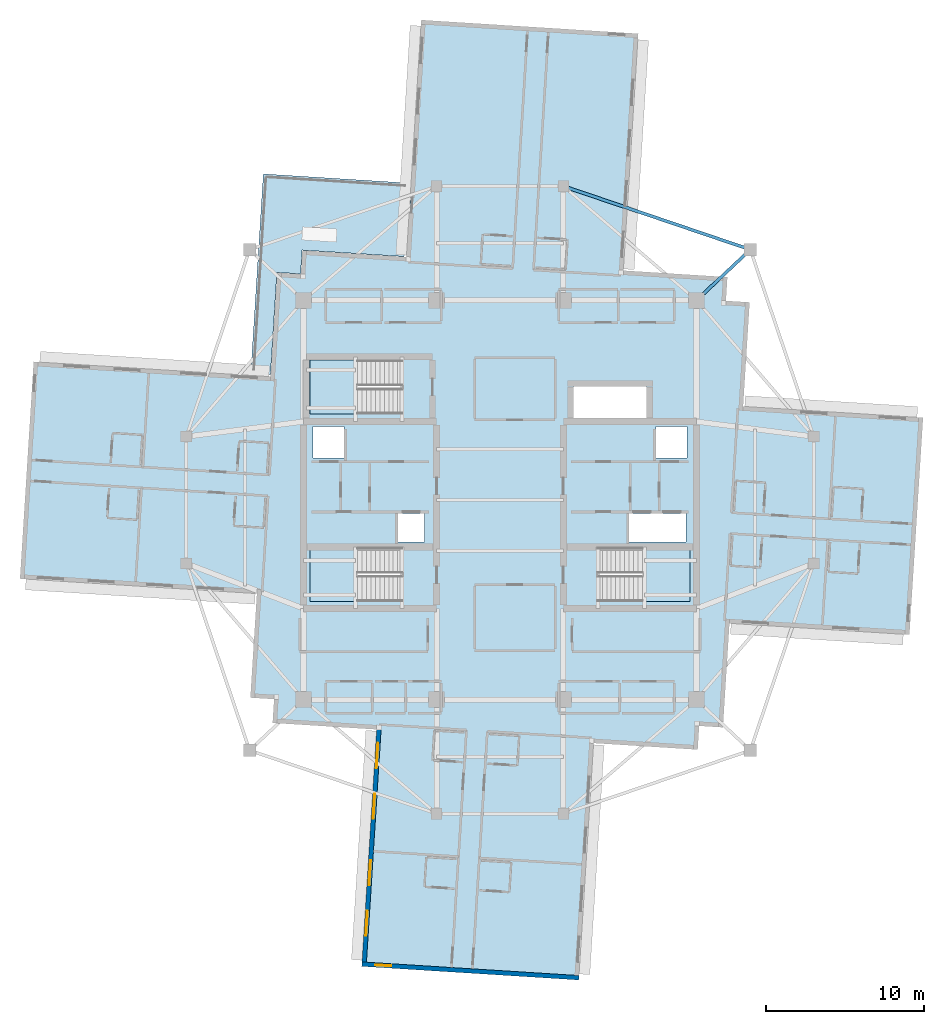
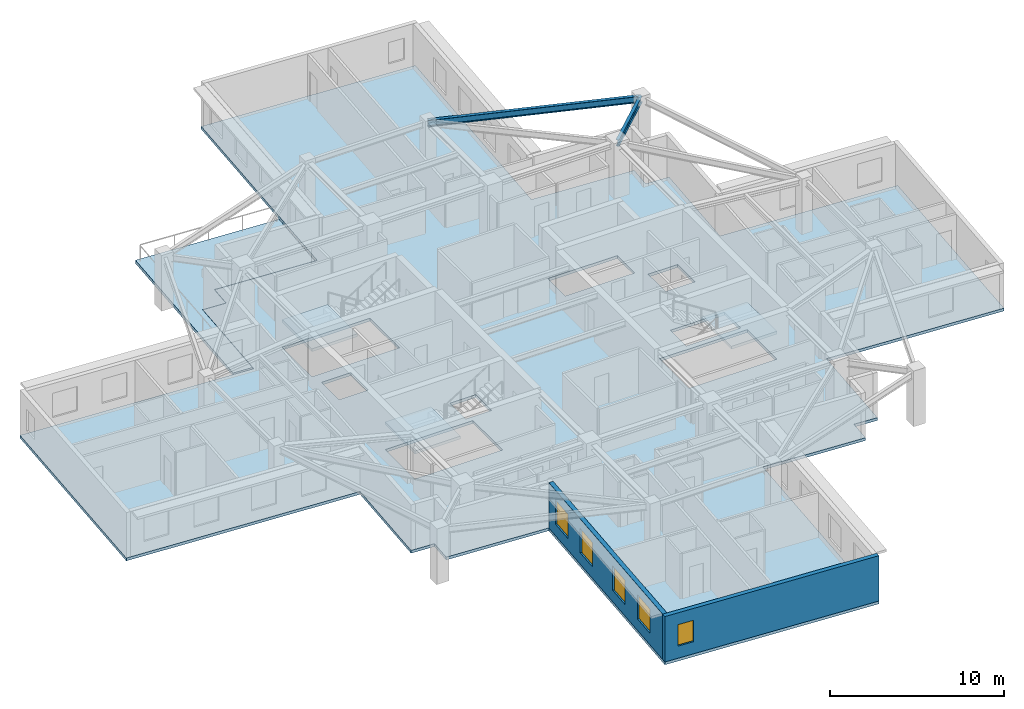
# One storey, part 2 of 12: 5 slabs, 5 windows, 2 beams, 2 walls, 5 openings, 3 elements without a shape of their own.
"""IFC4 building model written with IfcOpenShell, lengths in metres."""

from ifc_helpers import new_model, si_unit, direction, frame, frame_2d, origin, origin_2d, place, context, subcontext, project, spatial, polyline, rectangle, i_section, outline, extrude, material, layer, layer_set, material_profile, profile_set, type_object, element, fill, aggregate, save


model = new_model("IFC4")

# Units and contexts
model_context = context("Model", 3, precision=1e-05, world=origin(), true_north=direction((0.0, 1.0)))
body_context = subcontext(model_context, "Body", "Model", "MODEL_VIEW")
ifc_project = project(units=[si_unit("LENGTHUNIT", "METRE"), si_unit("AREAUNIT", "SQUARE_METRE"), si_unit("VOLUMEUNIT", "CUBIC_METRE"), si_unit("PLANEANGLEUNIT", "RADIAN"), si_unit("MASSUNIT", "GRAM", prefix="KILO")], contexts=[model_context])

# Site, building, storey
site_placement = place(None, origin())
site = spatial("IfcSite", under=ifc_project, at=site_placement, CompositionType="ELEMENT")
building_placement = place(site_placement, origin())
building = spatial("IfcBuilding", under=site, at=building_placement, Name="Qingluan Cross Belvedere", CompositionType="ELEMENT")
storey_placement = place(building_placement, frame((0.0, 0.0, 249.89990234375)))
storey = spatial("IfcBuildingStorey", under=building, at=storey_placement, Name="L62", CompositionType="ELEMENT", Elevation=249.89990234375)

# Beams
ifc_material_1 = material(Name="Steel Q420GJB", Category="steel")
ifc_material_profile = material_profile(ifc_material_1, i_section(OverallWidth=0.199951171875, OverallDepth=0.449951171875, WebThickness=0.009033203125, FlangeThickness=0.013916015625, FilletRadius=0.01611328125, at=origin_2d()), Name="HN450x200x9x14")
ifc_profile_set = profile_set([ifc_material_profile], Name="Steel Q420GJB")
beam_type = type_object("IfcBeamType", Name="Steel_Beam_HN450x200x9x14", PredefinedType="JOIST", material=ifc_profile_set)
beam_1_placement = place(storey_placement, frame((12.39990234375, 12.60009765625, 3.47509765625), z_axis=(0.728219948308, 0.685343495546, 0.0), x_axis=(-0.685343495546, 0.728219948308, 0.0)))
element("IfcBeam", 1, at=beam_1_placement, inside=storey, type_object=beam_type, Name="Corner beam 1 L62-RNE", PredefinedType="JOIST", context=body_context, shape_type="SweptSolid", body=[
    extrude(i_section(OverallWidth=0.199951171875, OverallDepth=0.449951171875, WebThickness=0.009033203125, FlangeThickness=0.013916015625, FilletRadius=0.01611328125, at=origin_2d()), origin(), (0.0, 0.0, 1.0), 4.669189453125),
])
beam_2_placement = place(storey_placement, frame((15.800048828125, 15.800048828125, 3.47509765625), z_axis=(-0.947066283324, 0.321038089628, 0.0), x_axis=(-0.321038089628, -0.947066283324, 0.0)))
element("IfcBeam", 2, at=beam_2_placement, inside=storey, type_object=beam_type, Name="Corner beam 2 L62-RNE", PredefinedType="JOIST", context=body_context, shape_type="SweptSolid", body=[
    extrude(i_section(OverallWidth=0.199951171875, OverallDepth=0.449951171875, WebThickness=0.009033203125, FlangeThickness=0.013916015625, FilletRadius=0.01611328125, at=origin_2d()), origin(), (0.0, 0.0, 1.0), 12.45947265625),
])

# Slab
ifc_material_2 = material(Name="Concrete C40", Category="concrete")
ifc_layer_1 = layer(ifc_material_2, 0.199951171875, Name="FloorSlab_200")
ifc_layer_set_1 = layer_set([ifc_layer_1], Name="Concrete C40")
slab_type_1 = type_object("IfcSlabType", Name="FloorSlab_200", PredefinedType="FLOOR", material=ifc_layer_set_1)
slab_1_placement = place(storey_placement, frame((0.0, 0.0, -0.199951171875)))
element("IfcSlab", 3, at=slab_1_placement, inside=storey, type_object=slab_type_1, Name="Structural floor slab L62", PredefinedType="FLOOR", context=body_context, shape_type="SweptSolid", body=[
    extrude(outline(polyline([(4.9677734375, -30.291748046875), (5.908447265625, -15.34130859375), (12.475341796875, -15.75439453125), (12.569580078125, -14.25732421875), (14.066650390625, -14.3515625), (14.479736328125, -7.78466796875), (25.83740234375, -8.4990234375), (26.69873046875, 5.19384765625), (15.34130859375, 5.908447265625), (15.75439453125, 12.475341796875), (14.25732421875, 12.569580078125), (14.3515625, 14.066650390625), (7.78466796875, 14.479736328125), (8.72509765625, 29.43017578125), (-4.9677734375, 30.291748046875), (-5.908447265625, 15.34130859375), (-12.475341796875, 15.75439453125), (-12.569580078125, 14.25732421875), (-14.066650390625, 14.3515625), (-14.479736328125, 7.78466796875), (-29.43017578125, 8.72509765625), (-30.291748046875, -4.9677734375), (-15.34130859375, -5.908447265625), (-15.75439453125, -12.475341796875), (-14.25732421875, -12.569580078125), (-14.3515625, -14.066650390625), (-7.78466796875, -14.479736328125), (-8.72509765625, -29.43017578125), (4.9677734375, -30.291748046875)]), holes=[polyline([(-12.0, -3.0), (-6.179931640625, -3.0), (-6.179931640625, -6.39990234375), (-12.0, -6.39990234375), (-12.0, -3.0)]), polyline([(6.179931640625, -3.0), (12.0, -3.0), (12.0, -6.39990234375), (6.179931640625, -6.39990234375), (6.179931640625, -3.0)]), polyline([(-12.0, 8.820068359375), (-6.179931640625, 8.820068359375), (-6.179931640625, 5.419921875), (-12.0, 5.419921875), (-12.0, 8.820068359375)]), polyline([(-11.800048828125, 4.64990234375), (-9.85009765625, 4.64990234375), (-9.85009765625, 2.64990234375), (-11.800048828125, 2.64990234375), (-11.800048828125, 4.64990234375)]), polyline([(9.85009765625, 4.64990234375), (11.800048828125, 4.64990234375), (11.800048828125, 2.64990234375), (9.85009765625, 2.64990234375), (9.85009765625, 4.64990234375)]), polyline([(-6.449951171875, -0.840087890625), (-4.75, -0.840087890625), (-4.75, -2.659912109375), (-6.449951171875, -2.659912109375), (-6.449951171875, -0.840087890625)]), polyline([(8.14990234375, -0.840087890625), (11.75, -0.840087890625), (11.75, -2.659912109375), (8.14990234375, -2.659912109375), (8.14990234375, -0.840087890625)]), polyline([(4.64990234375, 7.14990234375), (9.25, 7.14990234375), (9.25, 5.14990234375), (4.64990234375, 5.14990234375), (4.64990234375, 7.14990234375)])]), origin(), (0.0, 0.0, 1.0), 0.199951171875),
])

# Stair, slab
ifc_material_3 = material(Name="Concrete C40", Category="concrete")
stair_type = type_object("IfcStairType", Name="CoreDoglegStair_1620", PredefinedType="HALF_TURN_STAIR", material=ifc_material_3)
stair_1_placement = place(storey_placement, origin())
stair_1 = element("IfcStair", 4, at=stair_1_placement, inside=storey, type_object=stair_type, Name="L62 ST1", PredefinedType="HALF_TURN_STAIR")
ifc_material_4 = material(Name="Concrete C40", Category="concrete")
ifc_layer_2 = layer(ifc_material_4, 0.179931640625, Name="StairLandingSlab_180")
ifc_layer_set_2 = layer_set([ifc_layer_2], Name="Concrete C40")
slab_type_2 = type_object("IfcSlabType", Name="StairLandingSlab_180", PredefinedType="LANDING", material=ifc_layer_set_2)
slab_2_placement = place(storey_placement, frame((0.0, 0.0, 1.75)))
slab_2 = element("IfcSlab", 5, at=slab_2_placement, type_object=slab_type_2, Name="ST1 landing 1", PredefinedType="LANDING", context=body_context, shape_type="SweptSolid", body=[
    extrude(outline(polyline([(-8.97998046875, -3.0), (-12.0, -3.0), (-12.0, -6.39990234375), (-8.97998046875, -6.39990234375), (-8.97998046875, -3.0)])), origin(), (0.0, 0.0, 1.0), 0.2001953125),
])
aggregate(stair_1, [slab_2])

stair_2_placement = place(storey_placement, origin())
stair_2 = element("IfcStair", 6, at=stair_2_placement, inside=storey, type_object=stair_type, Name="L62 ST2", PredefinedType="HALF_TURN_STAIR")
slab_3_placement = place(storey_placement, frame((0.0, 0.0, 1.75)))
slab_3 = element("IfcSlab", 7, at=slab_3_placement, type_object=slab_type_2, Name="ST2 landing 1", PredefinedType="LANDING", context=body_context, shape_type="SweptSolid", body=[
    extrude(outline(polyline([(8.97998046875, -6.39990234375), (12.0, -6.39990234375), (12.0, -3.0), (8.97998046875, -3.0), (8.97998046875, -6.39990234375)])), origin(), (0.0, 0.0, 1.0), 0.2001953125),
])
aggregate(stair_2, [slab_3])

stair_3_placement = place(storey_placement, origin())
stair_3 = element("IfcStair", 8, at=stair_3_placement, inside=storey, type_object=stair_type, Name="L62 ST3", PredefinedType="HALF_TURN_STAIR")
slab_4_placement = place(storey_placement, frame((0.0, 0.0, 1.75)))
slab_4 = element("IfcSlab", 9, at=slab_4_placement, type_object=slab_type_2, Name="ST3 landing 1", PredefinedType="LANDING", context=body_context, shape_type="SweptSolid", body=[
    extrude(outline(polyline([(-8.97998046875, 8.820068359375), (-12.0, 8.820068359375), (-12.0, 5.419921875), (-8.97998046875, 5.419921875), (-8.97998046875, 8.820068359375)])), origin(), (0.0, 0.0, 1.0), 0.2001953125),
])
aggregate(stair_3, [slab_4])

# Slab
ifc_material_5 = material(Name="Concrete C40", Category="concrete")
ifc_layer_3 = layer(ifc_material_5, 0.219970703125, Name="TerraceSlab_220")
ifc_layer_set_3 = layer_set([ifc_layer_3], Name="Concrete C40")
slab_type_3 = type_object("IfcSlabType", Name="TerraceSlab_220", PredefinedType="FLOOR", material=ifc_layer_set_3)
slab_5_placement = place(storey_placement, frame((0.0, 0.0, -0.219970703125)))
element("IfcSlab", 10, at=slab_5_placement, inside=storey, type_object=slab_type_3, Name="Spiralling winter-garden terrace slab L62", PredefinedType="FLOOR", context=body_context, shape_type="SweptSolid", body=[
    extrude(outline(polyline([(-14.48095703125, 7.9248046875), (-14.07470703125, 14.357666015625), (-12.578857421875, 14.26806640625), (-12.4853515625, 15.755126953125), (-12.476806640625, 15.764404296875), (-6.047607421875, 15.360107421875), (-5.755615234375, 20.0009765625), (-14.937255859375, 20.57861328125), (-15.728515625, 8.00341796875), (-14.48095703125, 7.9248046875)])), origin(), (0.0, 0.0, 1.0), 0.219970703125),
])

# Wall, openings, windows
ifc_material_6 = material(Name="Precast concrete C45", Category="concrete")
ifc_layer_4 = layer(ifc_material_6, 0.280029296875, Name="PrecastFacadeWall_280")
ifc_layer_set_4 = layer_set([ifc_layer_4], Name="Precast concrete C45")
wall_type = type_object("IfcWallType", Name="PrecastFacadeWall_280", PredefinedType="STANDARD", material=ifc_layer_set_4)
wall_1_placement = place(storey_placement, frame((-7.644775390625, -14.488525390625, 0.0), z_axis=(0.0, 0.0, 1.0), x_axis=(-0.062794967833, -0.998026448555, 0.0)))
wall_1 = element("IfcWall", 11, at=wall_1_placement, inside=storey, type_object=wall_type, Name="Facade wall L62-SA", PredefinedType="STANDARD", context=body_context, shape_type="SweptSolid", body=[
    extrude(rectangle(XDim=14.7001953125, YDim=0.280029296875, at=frame_2d((7.35009765625, 0.0))), origin(), (0.0, 0.0, 1.0), 3.18017578125),
])
opening_1_placement = place(wall_1_placement, frame((0.85009765625, 0.0, 0.800048828125)))
opening_1 = element("IfcOpeningElement", 12, at=opening_1_placement, cuts=wall_1, Name="Opening W-04", PredefinedType="OPENING", context=body_context, shape_type="SweptSolid", body=[
    extrude(rectangle(XDim=1.60009765625, YDim=1.699951171875, at=frame_2d((0.800048828125, 0.85009765625))), frame((0.0, 0.14990234375, 0.0), z_axis=(0.0, -1.0, 0.0), x_axis=(1.0, 0.0, 0.0)), (0.0, 0.0, 1.0), 0.300048828125),
])
opening_2_placement = place(wall_1_placement, frame((4.050048828125, 0.0, 0.800048828125)))
opening_2 = element("IfcOpeningElement", 13, at=opening_2_placement, cuts=wall_1, Name="Opening W-04", PredefinedType="OPENING", context=body_context, shape_type="SweptSolid", body=[
    extrude(rectangle(XDim=1.60009765625, YDim=1.699951171875, at=frame_2d((0.800048828125, 0.85009765625))), frame((0.0, 0.14990234375, 0.0), z_axis=(0.0, -1.0, 0.0), x_axis=(1.0, 0.0, 0.0)), (0.0, 0.0, 1.0), 0.300048828125),
])
opening_3_placement = place(wall_1_placement, frame((8.25, 0.0, 0.800048828125)))
opening_3 = element("IfcOpeningElement", 14, at=opening_3_placement, cuts=wall_1, Name="Opening W-04", PredefinedType="OPENING", context=body_context, shape_type="SweptSolid", body=[
    extrude(rectangle(XDim=1.60009765625, YDim=1.699951171875, at=frame_2d((0.800048828125, 0.85009765625))), frame((0.0, 0.14990234375, 0.0), z_axis=(0.0, -1.0, 0.0), x_axis=(1.0, 0.0, 0.0)), (0.0, 0.0, 1.0), 0.300048828125),
])
opening_4_placement = place(wall_1_placement, frame((11.449951171875, 0.0, 0.800048828125)))
opening_4 = element("IfcOpeningElement", 15, at=opening_4_placement, cuts=wall_1, Name="Opening W-04", PredefinedType="OPENING", context=body_context, shape_type="SweptSolid", body=[
    extrude(rectangle(XDim=1.60009765625, YDim=1.699951171875, at=frame_2d((0.800048828125, 0.85009765625))), frame((0.0, 0.14990234375, 0.0), z_axis=(0.0, -1.0, 0.0), x_axis=(1.0, 0.0, 0.0)), (0.0, 0.0, 1.0), 0.300048828125),
])
ifc_material_7 = material(Name="Thermally broken triple Low-E glass in aluminium frame", Category="aluminium")
window_type_1 = type_object("IfcWindowType", Name="SuiteCornerWin_1600x1700", PartitioningType="SINGLE_PANEL", PredefinedType="WINDOW", material=ifc_material_7)
window_1_placement = place(opening_1_placement, origin())
window_1 = element("IfcWindow", 16, at=window_1_placement, inside=storey, type_object=window_type_1, Name="Ribbon window L62-SA-1", OverallHeight=1.699951171875, OverallWidth=1.60009765625, PartitioningType="SINGLE_PANEL", PredefinedType="WINDOW", context=body_context, shape_type="SweptSolid", body=[
    extrude(rectangle(XDim=1.60009765625, YDim=1.699951171875, at=frame_2d((0.800048828125, 0.85009765625))), frame((0.0, 0.030029296875, 0.0), z_axis=(0.0, -1.0, 0.0), x_axis=(1.0, 0.0, 0.0)), (0.0, 0.0, 1.0), 0.06005859375),
])
fill(opening_1, window_1)
window_2_placement = place(opening_2_placement, origin())
window_2 = element("IfcWindow", 17, at=window_2_placement, inside=storey, type_object=window_type_1, Name="Ribbon window L62-SA-2", OverallHeight=1.699951171875, OverallWidth=1.60009765625, PartitioningType="SINGLE_PANEL", PredefinedType="WINDOW", context=body_context, shape_type="SweptSolid", body=[
    extrude(rectangle(XDim=1.60009765625, YDim=1.699951171875, at=frame_2d((0.800048828125, 0.85009765625))), frame((0.0, 0.030029296875, 0.0), z_axis=(0.0, -1.0, 0.0), x_axis=(1.0, 0.0, 0.0)), (0.0, 0.0, 1.0), 0.06005859375),
])
fill(opening_2, window_2)
window_3_placement = place(opening_3_placement, origin())
window_3 = element("IfcWindow", 18, at=window_3_placement, inside=storey, type_object=window_type_1, Name="Ribbon window L62-SA-3", OverallHeight=1.699951171875, OverallWidth=1.60009765625, PartitioningType="SINGLE_PANEL", PredefinedType="WINDOW", context=body_context, shape_type="SweptSolid", body=[
    extrude(rectangle(XDim=1.60009765625, YDim=1.699951171875, at=frame_2d((0.800048828125, 0.85009765625))), frame((0.0, 0.030029296875, 0.0), z_axis=(0.0, -1.0, 0.0), x_axis=(1.0, 0.0, 0.0)), (0.0, 0.0, 1.0), 0.06005859375),
])
fill(opening_3, window_3)
window_4_placement = place(opening_4_placement, origin())
window_4 = element("IfcWindow", 19, at=window_4_placement, inside=storey, type_object=window_type_1, Name="Ribbon window L62-SA-4", OverallHeight=1.699951171875, OverallWidth=1.60009765625, PartitioningType="SINGLE_PANEL", PredefinedType="WINDOW", context=body_context, shape_type="SweptSolid", body=[
    extrude(rectangle(XDim=1.60009765625, YDim=1.699951171875, at=frame_2d((0.800048828125, 0.85009765625))), frame((0.0, 0.030029296875, 0.0), z_axis=(0.0, -1.0, 0.0), x_axis=(1.0, 0.0, 0.0)), (0.0, 0.0, 1.0), 0.06005859375),
])
fill(opening_4, window_4)

# Wall, opening, window
wall_2_placement = place(storey_placement, frame((-8.71630859375, -29.29052734375, 0.0), z_axis=(0.0, 0.0, 1.0), x_axis=(0.998026318072, -0.062797041623, 0.0)))
wall_2 = element("IfcWall", 20, at=wall_2_placement, inside=storey, type_object=wall_type, Name="Arm tip precast facade wall L62-S", PredefinedType="STANDARD", context=body_context, shape_type="SweptSolid", body=[
    extrude(rectangle(XDim=13.719970703125, YDim=0.280029296875, at=frame_2d((6.85986328125, 0.0))), origin(), (0.0, 0.0, 1.0), 3.18017578125),
])
opening_5_placement = place(wall_2_placement, frame((0.85009765625, 0.0, 0.85009765625)))
opening_5 = element("IfcOpeningElement", 21, at=opening_5_placement, cuts=wall_2, Name="Opening W-03", PredefinedType="OPENING", context=body_context, shape_type="SweptSolid", body=[
    extrude(rectangle(XDim=1.0, YDim=1.5, at=frame_2d((0.5, 0.75))), frame((0.0, 0.14990234375, 0.0), z_axis=(0.0, -1.0, 0.0), x_axis=(1.0, 0.0, 0.0)), (0.0, 0.0, 1.0), 0.300048828125),
])
ifc_material_8 = material(Name="Thermally broken triple Low-E glass in aluminium frame", Category="aluminium")
window_type_2 = type_object("IfcWindowType", Name="TriApexWin_1000x1500", PartitioningType="SINGLE_PANEL", PredefinedType="WINDOW", material=ifc_material_8)
window_5_placement = place(opening_5_placement, origin())
window_5 = element("IfcWindow", 22, at=window_5_placement, inside=storey, type_object=window_type_2, Name="Arm tip triangular window L62-S", OverallHeight=1.5, OverallWidth=1.0, PartitioningType="SINGLE_PANEL", PredefinedType="WINDOW", context=body_context, shape_type="SweptSolid", body=[
    extrude(rectangle(XDim=1.0, YDim=1.5, at=frame_2d((0.5, 0.75))), frame((0.0, 0.030029296875, 0.0), z_axis=(0.0, -1.0, 0.0), x_axis=(1.0, 0.0, 0.0)), (0.0, 0.0, 1.0), 0.06005859375),
])
fill(opening_5, window_5)

save(model, "model.ifc")
